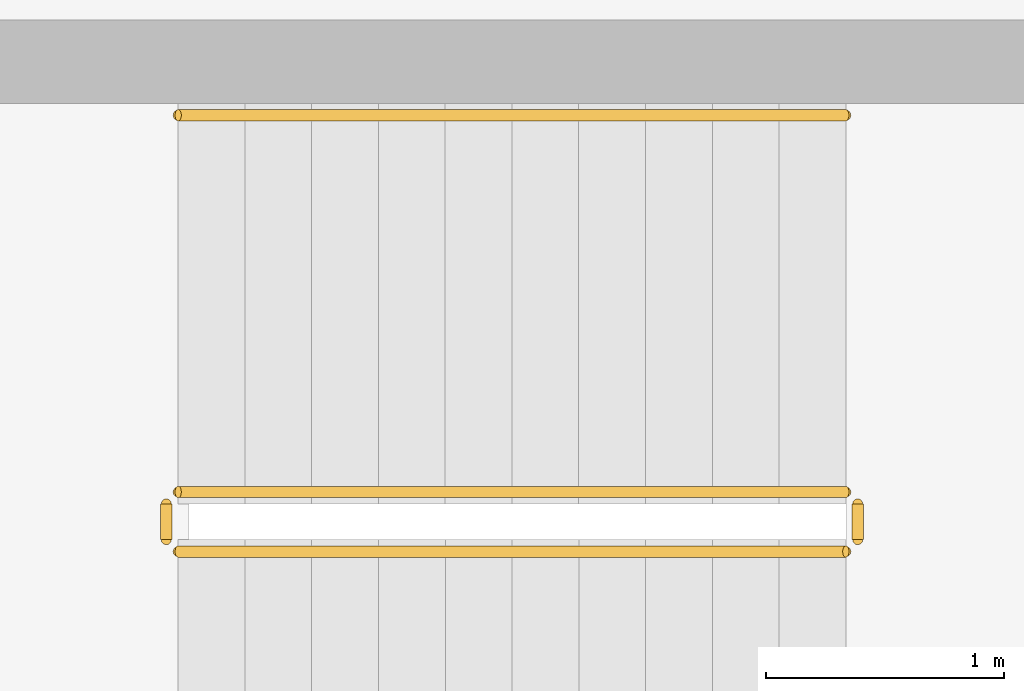
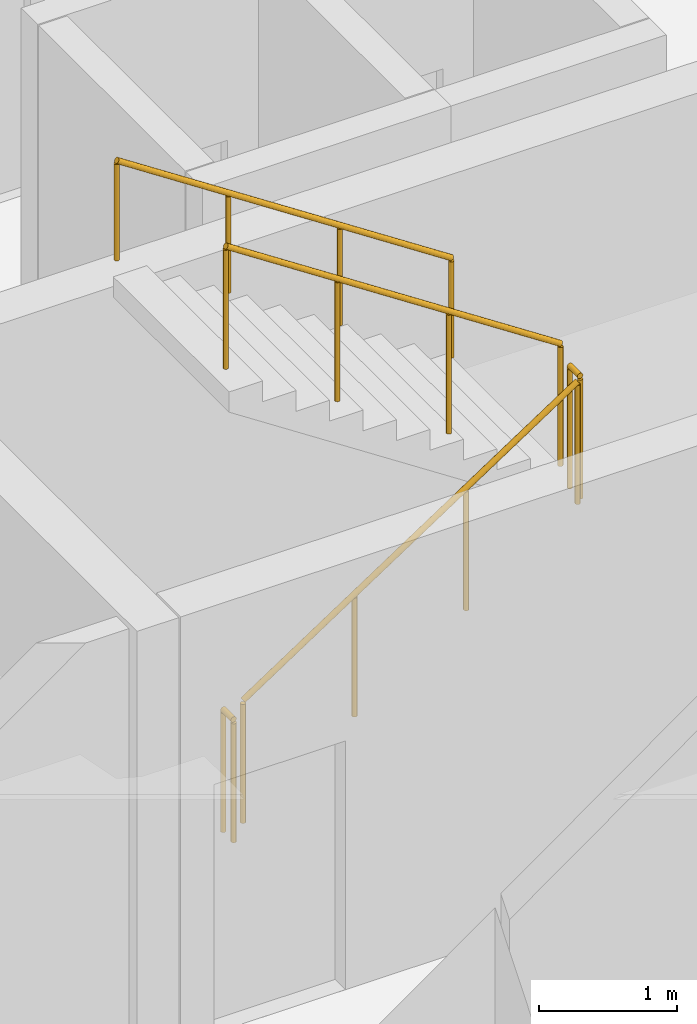
# One storey, part 35 of 39: 5 railings.
"""IFC4 building model written with IfcOpenShell, lengths in metres."""

from ifc_helpers import new_model, si_unit, direction, frame, origin, origin_2d, place, context, subcontext, project, spatial, circle, extrude, material, type_object, element, save


model = new_model("IFC4")

# Units and contexts
model_context = context("Model", 3, precision=1e-05, world=origin(), true_north=direction((0.0, 1.0)))
body_context = subcontext(model_context, "Body", "Model", "MODEL_VIEW")
ifc_project = project(units=[si_unit("LENGTHUNIT", "METRE"), si_unit("AREAUNIT", "SQUARE_METRE"), si_unit("VOLUMEUNIT", "CUBIC_METRE"), si_unit("PLANEANGLEUNIT", "RADIAN"), si_unit("MASSUNIT", "GRAM", prefix="KILO")], contexts=[model_context])

# Site, building, storey
site_placement = place(None, origin())
site = spatial("IfcSite", under=ifc_project, at=site_placement, CompositionType="ELEMENT")
building_placement = place(site_placement, origin())
building = spatial("IfcBuilding", under=site, at=building_placement, Name="Qorvath Tower", CompositionType="ELEMENT")
storey_placement = place(building_placement, frame((0.0, 0.0, 154.35009765625)))
storey = spatial("IfcBuildingStorey", under=building, at=storey_placement, Name="L35", CompositionType="ELEMENT", Elevation=154.35009765625)

# Railings
ifc_material_1 = material(Name="Painted galvanised steel", Category="steel")
railing_type_1 = type_object("IfcRailingType", Name="RL-STR-GRD", PredefinedType="GUARDRAIL", material=ifc_material_1)
railing_1_placement = place(storey_placement, frame((-22.669921875, -6.570068359375, 0.18408203125)))
element("IfcRailing", 1, at=railing_1_placement, inside=storey, type_object=railing_type_1, Name="L35 TS2 stair guard 1", PredefinedType="GUARDRAIL", context=body_context, shape_type="SweptSolid", body=[
    extrude(circle(Radius=0.02392578125, at=origin_2d()), frame((0.0, 0.0, 1.076171875), z_axis=(0.835575518608, 0.0, 0.549375602573), x_axis=(0.0, 1.0, 0.0)), (0.0, 0.0, 1.0), 3.350830078125),
    extrude(circle(Radius=0.02099609375, at=origin_2d()), origin(), (0.0, 0.0, 1.0), 1.052001953125),
    extrude(circle(Radius=0.02099609375, at=origin_2d()), frame((0.933349609375, 0.0, 0.613525390625)), (0.0, 0.0, 1.0), 1.052001953125),
    extrude(circle(Radius=0.02099609375, at=origin_2d()), frame((1.866455078125, 0.0, 1.227294921875)), (0.0, 0.0, 1.0), 1.052001953125),
    extrude(circle(Radius=0.02099609375, at=origin_2d()), frame((2.7998046875, 0.0, 1.8408203125)), (0.0, 0.0, 1.0), 1.052001953125),
])
railing_2_placement = place(storey_placement, frame((-19.820068359375, -6.52001953125, 2.02490234375)))
element("IfcRailing", 2, at=railing_2_placement, inside=storey, type_object=railing_type_1, Name="L35 TS2 stair guard 2", PredefinedType="GUARDRAIL", context=body_context, shape_type="SweptSolid", body=[
    extrude(circle(Radius=0.02392578125, at=origin_2d()), frame((0.0, 0.0, 1.076171875), z_axis=(0.0, 1.0, 0.0), x_axis=(-1.0, 0.0, 0.0)), (0.0, 0.0, 1.0), 0.14990234375),
    extrude(circle(Radius=0.02099609375, at=origin_2d()), origin(), (0.0, 0.0, 1.0), 1.052001953125),
    extrude(circle(Radius=0.02099609375, at=origin_2d()), frame((0.0, 0.14990234375, 0.0)), (0.0, 0.0, 1.0), 1.052001953125),
])
railing_3_placement = place(storey_placement, frame((-19.8701171875, -6.320068359375, 2.208984375)))
element("IfcRailing", 3, at=railing_3_placement, inside=storey, type_object=railing_type_1, Name="L35 TS2 stair guard 3", PredefinedType="GUARDRAIL", context=body_context, shape_type="SweptSolid", body=[
    extrude(circle(Radius=0.02392578125, at=origin_2d()), frame((0.0, 0.0, 1.076171875), z_axis=(-0.835575518608, 0.0, 0.549375602573), x_axis=(0.0, -1.0, 0.0)), (0.0, 0.0, 1.0), 3.350830078125),
    extrude(circle(Radius=0.02099609375, at=origin_2d()), origin(), (0.0, 0.0, 1.0), 1.052001953125),
    extrude(circle(Radius=0.02099609375, at=origin_2d()), frame((-0.933349609375, 0.0, 0.613525390625)), (0.0, 0.0, 1.0), 1.052001953125),
    extrude(circle(Radius=0.02099609375, at=origin_2d()), frame((-1.866455078125, 0.0, 1.227294921875)), (0.0, 0.0, 1.0), 1.052001953125),
    extrude(circle(Radius=0.02099609375, at=origin_2d()), frame((-2.7998046875, 0.0, 1.8408203125)), (0.0, 0.0, 1.0), 1.052001953125),
])
railing_4_placement = place(storey_placement, frame((-22.719970703125, -6.52001953125, 0.0)))
element("IfcRailing", 4, at=railing_4_placement, inside=storey, type_object=railing_type_1, Name="L35 TS2 stair guard 4", PredefinedType="GUARDRAIL", context=body_context, shape_type="SweptSolid", body=[
    extrude(circle(Radius=0.02392578125, at=origin_2d()), frame((0.0, 0.0, 1.076171875), z_axis=(0.0, 1.0, 0.0), x_axis=(-1.0, 0.0, 0.0)), (0.0, 0.0, 1.0), 0.14990234375),
    extrude(circle(Radius=0.02099609375, at=origin_2d()), origin(), (0.0, 0.0, 1.0), 1.052001953125),
    extrude(circle(Radius=0.02099609375, at=origin_2d()), frame((0.0, 0.14990234375, 0.0)), (0.0, 0.0, 1.0), 1.052001953125),
])
ifc_material_2 = material(Name="Brushed stainless steel AISI 304", Category="steel")
railing_type_2 = type_object("IfcRailingType", Name="RL-STR-HND", PredefinedType="HANDRAIL", material=ifc_material_2)
railing_5_placement = place(storey_placement, frame((-19.8701171875, -4.739990234375, 2.208984375)))
element("IfcRailing", 5, at=railing_5_placement, inside=storey, type_object=railing_type_2, Name="L35 TS2 stair handrail 2", PredefinedType="HANDRAIL", context=body_context, shape_type="SweptSolid", body=[
    extrude(circle(Radius=0.02392578125, at=origin_2d()), frame((0.0, 0.0, 0.8759765625), z_axis=(-0.835575518608, 0.0, 0.549375602573), x_axis=(0.0, -1.0, 0.0)), (0.0, 0.0, 1.0), 3.350830078125),
    extrude(circle(Radius=0.02099609375, at=origin_2d()), origin(), (0.0, 0.0, 1.0), 0.851806640625),
    extrude(circle(Radius=0.02099609375, at=origin_2d()), frame((-0.933349609375, 0.0, 0.613525390625)), (0.0, 0.0, 1.0), 0.851806640625),
    extrude(circle(Radius=0.02099609375, at=origin_2d()), frame((-1.866455078125, 0.0, 1.227294921875)), (0.0, 0.0, 1.0), 0.851806640625),
    extrude(circle(Radius=0.02099609375, at=origin_2d()), frame((-2.7998046875, 0.0, 1.8408203125)), (0.0, 0.0, 1.0), 0.851806640625),
])

save(model, "model.ifc")
